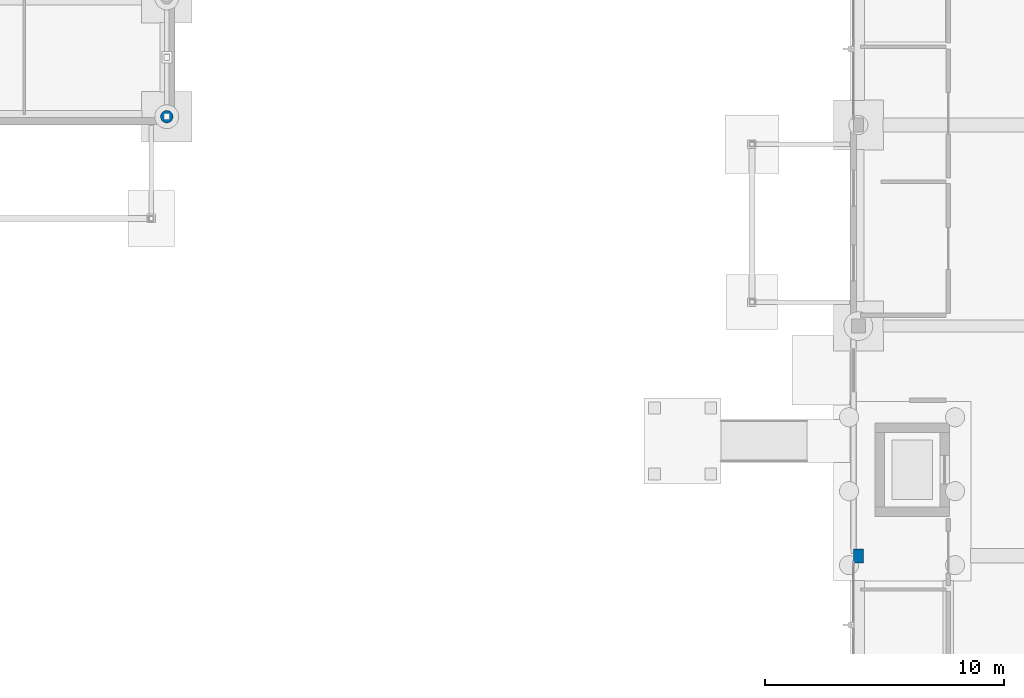
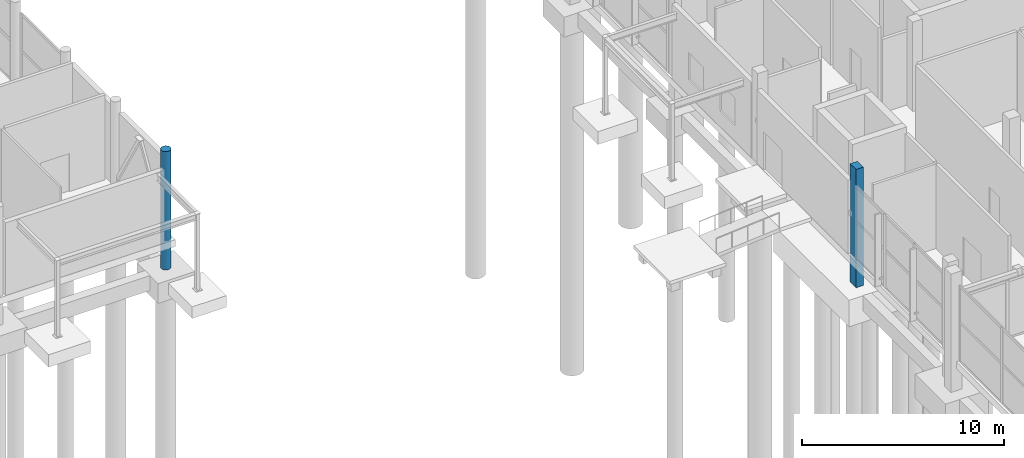
# One storey, part 12 of 88: 2 columns.
"""IFC4 building model written with IfcOpenShell, lengths in metres."""

from ifc_helpers import new_model, si_unit, direction, frame, origin, origin_2d, place, context, subcontext, project, spatial, rectangle, circle, extrude, material, material_profile, profile_set, type_object, element, save


model = new_model("IFC4")

# Units and contexts
model_context = context("Model", 3, precision=1e-05, world=origin(), true_north=direction((0.0, 1.0)))
body_context = subcontext(model_context, "Body", "Model", "MODEL_VIEW")
ifc_project = project(units=[si_unit("LENGTHUNIT", "METRE"), si_unit("AREAUNIT", "SQUARE_METRE"), si_unit("VOLUMEUNIT", "CUBIC_METRE"), si_unit("PLANEANGLEUNIT", "RADIAN"), si_unit("MASSUNIT", "GRAM", prefix="KILO")], contexts=[model_context])

# Site, building, storey
site_placement = place(None, origin())
site = spatial("IfcSite", under=ifc_project, at=site_placement, CompositionType="ELEMENT")
building_placement = place(site_placement, origin())
building = spatial("IfcBuilding", under=site, at=building_placement, Name="Birchvale Park Specialist Clinic", CompositionType="ELEMENT")
storey_placement = place(building_placement, origin())
storey = spatial("IfcBuildingStorey", under=building, at=storey_placement, Name="L00", CompositionType="ELEMENT", Elevation=0.0)

# Columns
ifc_material = material(Name="Concrete C40/50", Category="concrete")
ifc_material_profile_1 = material_profile(ifc_material, rectangle(XDim=0.419921875, YDim=0.580078125, at=origin_2d()), Name="RC-420x580")
ifc_profile_set_1 = profile_set([ifc_material_profile_1], Name="Concrete C40/50")
column_type_1 = type_object("IfcColumnType", Name="COL-EXT-C10", PredefinedType="COLUMN", material=ifc_profile_set_1)
column_1_placement = place(storey_placement, frame((128.35009765625, 73.199951171875, -1.75), z_axis=(0.0, 0.0, 1.0), x_axis=(1.0, 0.0, 0.0)))
element("IfcColumn", 1, at=column_1_placement, inside=storey, type_object=column_type_1, Name="V6 L00 column 2", PredefinedType="COLUMN", context=body_context, shape_type="SweptSolid", body=[
    extrude(rectangle(XDim=0.419921875, YDim=0.580078125, at=origin_2d()), origin(), (0.0, 0.0, 1.0), 7.14990234375),
])
ifc_material_profile_2 = material_profile(ifc_material, circle(Radius=0.260009765625, at=origin_2d()), Name="RCC-520")
ifc_profile_set_2 = profile_set([ifc_material_profile_2], Name="Concrete C40/50")
column_type_2 = type_object("IfcColumnType", Name="COL-EXT-CC2", PredefinedType="COLUMN", material=ifc_profile_set_2)
column_2_placement = place(storey_placement, frame((99.449951171875, 91.550048828125, -1.75), z_axis=(0.0, 0.0, 1.0), x_axis=(1.0, 0.0, 0.0)))
element("IfcColumn", 2, at=column_2_placement, inside=storey, type_object=column_type_2, Name="V3 L00 column 23", PredefinedType="COLUMN", context=body_context, shape_type="SweptSolid", body=[
    extrude(circle(Radius=0.260009765625, at=origin_2d()), origin(), (0.0, 0.0, 1.0), 7.14990234375),
])

save(model, "model.ifc")
